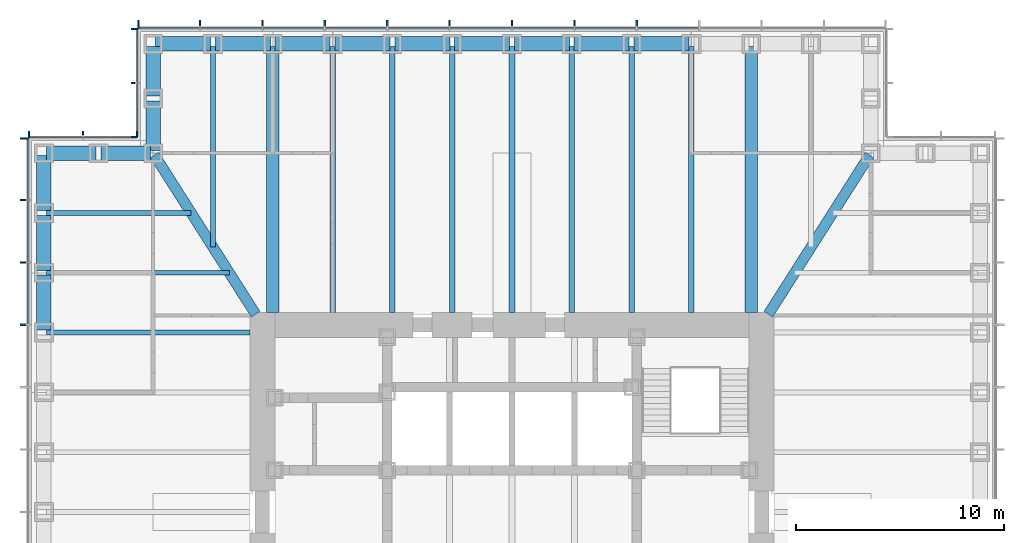
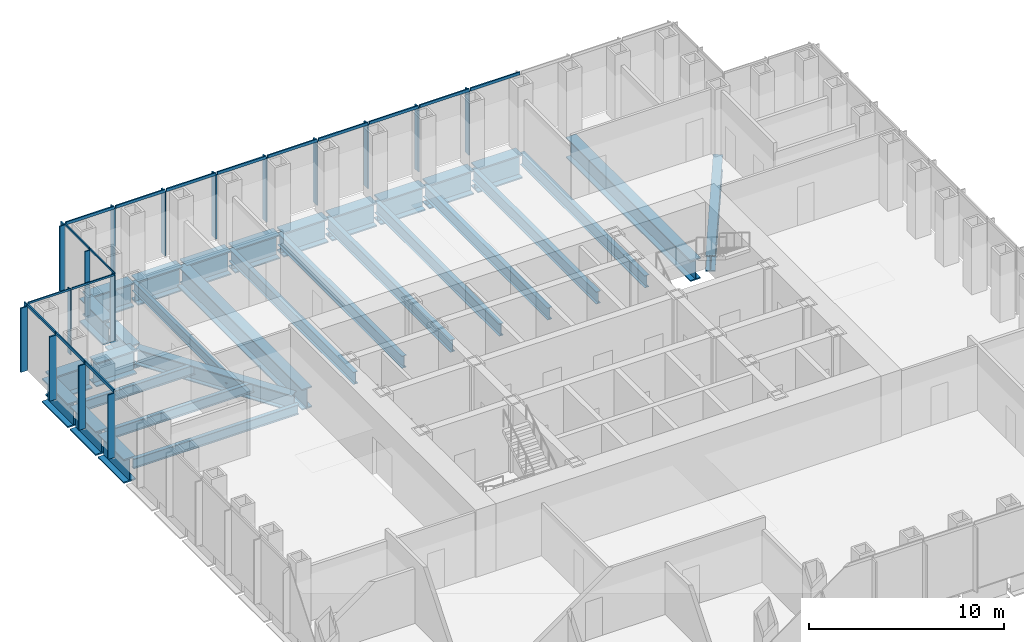
# One storey, part 5 of 16: 35 members, 31 beams, 4 elements without a shape of their own.
"""IFC4 building model written with IfcOpenShell, lengths in metres."""

from ifc_helpers import new_model, si_unit, direction, frame, origin, origin_2d, place, context, subcontext, project, spatial, rectangle, i_section, extrude, material, material_profile, profile_set, type_object, element, aggregate, save


model = new_model("IFC4")

# Units and contexts
model_context = context("Model", 3, precision=1e-05, world=origin(), true_north=direction((0.0, 1.0)))
body_context = subcontext(model_context, "Body", "Model", "MODEL_VIEW")
ifc_project = project(units=[si_unit("LENGTHUNIT", "METRE"), si_unit("AREAUNIT", "SQUARE_METRE"), si_unit("VOLUMEUNIT", "CUBIC_METRE"), si_unit("PLANEANGLEUNIT", "RADIAN"), si_unit("MASSUNIT", "GRAM", prefix="KILO")], contexts=[model_context])

# Site, building, storey
site_placement = place(None, origin())
site = spatial("IfcSite", under=ifc_project, at=site_placement, CompositionType="ELEMENT")
building_placement = place(site_placement, origin())
building = spatial("IfcBuilding", under=site, at=building_placement, Name="Daluyong Arena Tower", CompositionType="ELEMENT")
storey_placement = place(building_placement, frame((0.0, 0.0, 162.699951171875)))
storey = spatial("IfcBuildingStorey", under=building, at=storey_placement, Name="L36", CompositionType="ELEMENT", Elevation=162.699951171875)

# Curtain wall, members
ifc_material_1 = material(Name="Bronze anodised aluminium and glass", Category="aluminium")
curtain_wall_type_1 = type_object("IfcCurtainWallType", Name="Curtain wall CW2", PredefinedType="USERDEFINED", material=ifc_material_1)
curtain_wall_1_placement = place(storey_placement, origin())
curtain_wall_1 = element("IfcCurtainWall", 1, at=curtain_wall_1_placement, inside=storey, type_object=curtain_wall_type_1, Name="curtain wall L36 N", ObjectType="UNITISED CURTAIN WALL", PredefinedType="USERDEFINED")
ifc_material_2 = material(Name="Bronze anodised aluminium fin", Category="aluminium")
ifc_material_profile_1 = material_profile(ifc_material_2, rectangle(XDim=0.39990234375, YDim=0.080078125, at=origin_2d()))
ifc_profile_set_1 = profile_set([ifc_material_profile_1], Name="Bronze anodised aluminium fin")
member_type_1 = type_object("IfcMemberType", Name="CW2 bronze fin 400x80", PredefinedType="MULLION", material=ifc_profile_set_1)
member_1_placement = place(storey_placement, frame((62.0, 103.449951171875, 0.0), z_axis=(0.0, 0.0, 1.0), x_axis=(0.0, -1.0, 0.0)))
member_1 = element("IfcMember", 2, at=member_1_placement, type_object=member_type_1, Name="curtain wall L36 N fin 5", PredefinedType="MULLION", context=body_context, shape_type="SweptSolid", body=[
    extrude(rectangle(XDim=0.39990234375, YDim=0.080078125, at=origin_2d()), origin(), (0.0, 0.0, 1.0), 4.02001953125),
])
member_2_placement = place(storey_placement, frame((59.0, 103.449951171875, 0.0), z_axis=(0.0, 0.0, 1.0), x_axis=(0.0, -1.0, 0.0)))
member_2 = element("IfcMember", 3, at=member_2_placement, type_object=member_type_1, Name="curtain wall L36 N fin 6", PredefinedType="MULLION", context=body_context, shape_type="SweptSolid", body=[
    extrude(rectangle(XDim=0.39990234375, YDim=0.080078125, at=origin_2d()), origin(), (0.0, 0.0, 1.0), 4.02001953125),
])
member_3_placement = place(storey_placement, frame((56.0, 103.449951171875, 0.0), z_axis=(0.0, 0.0, 1.0), x_axis=(0.0, -1.0, 0.0)))
member_3 = element("IfcMember", 4, at=member_3_placement, type_object=member_type_1, Name="curtain wall L36 N fin 7", PredefinedType="MULLION", context=body_context, shape_type="SweptSolid", body=[
    extrude(rectangle(XDim=0.39990234375, YDim=0.080078125, at=origin_2d()), origin(), (0.0, 0.0, 1.0), 4.02001953125),
])
member_4_placement = place(storey_placement, frame((53.0, 103.449951171875, 0.0), z_axis=(0.0, 0.0, 1.0), x_axis=(0.0, -1.0, 0.0)))
member_4 = element("IfcMember", 5, at=member_4_placement, type_object=member_type_1, Name="curtain wall L36 N fin 8", PredefinedType="MULLION", context=body_context, shape_type="SweptSolid", body=[
    extrude(rectangle(XDim=0.39990234375, YDim=0.080078125, at=origin_2d()), origin(), (0.0, 0.0, 1.0), 4.02001953125),
])
member_5_placement = place(storey_placement, frame((50.0, 103.449951171875, 0.0), z_axis=(0.0, 0.0, 1.0), x_axis=(0.0, -1.0, 0.0)))
member_5 = element("IfcMember", 6, at=member_5_placement, type_object=member_type_1, Name="curtain wall L36 N fin 9", PredefinedType="MULLION", context=body_context, shape_type="SweptSolid", body=[
    extrude(rectangle(XDim=0.39990234375, YDim=0.080078125, at=origin_2d()), origin(), (0.0, 0.0, 1.0), 4.02001953125),
])
member_6_placement = place(storey_placement, frame((47.0, 103.449951171875, 0.0), z_axis=(0.0, 0.0, 1.0), x_axis=(0.0, -1.0, 0.0)))
member_6 = element("IfcMember", 7, at=member_6_placement, type_object=member_type_1, Name="curtain wall L36 N fin 10", PredefinedType="MULLION", context=body_context, shape_type="SweptSolid", body=[
    extrude(rectangle(XDim=0.39990234375, YDim=0.080078125, at=origin_2d()), origin(), (0.0, 0.0, 1.0), 4.02001953125),
])
member_7_placement = place(storey_placement, frame((44.0, 103.449951171875, 0.0), z_axis=(0.0, 0.0, 1.0), x_axis=(0.0, -1.0, 0.0)))
member_7 = element("IfcMember", 8, at=member_7_placement, type_object=member_type_1, Name="curtain wall L36 N fin 11", PredefinedType="MULLION", context=body_context, shape_type="SweptSolid", body=[
    extrude(rectangle(XDim=0.39990234375, YDim=0.080078125, at=origin_2d()), origin(), (0.0, 0.0, 1.0), 4.02001953125),
])
member_8_placement = place(storey_placement, frame((41.0, 103.449951171875, 0.0), z_axis=(0.0, 0.0, 1.0), x_axis=(0.0, -1.0, 0.0)))
member_8 = element("IfcMember", 9, at=member_8_placement, type_object=member_type_1, Name="curtain wall L36 N fin 12", PredefinedType="MULLION", context=body_context, shape_type="SweptSolid", body=[
    extrude(rectangle(XDim=0.39990234375, YDim=0.080078125, at=origin_2d()), origin(), (0.0, 0.0, 1.0), 4.02001953125),
])
member_9_placement = place(storey_placement, frame((38.0400390625, 103.449951171875, 0.0), z_axis=(0.0, 0.0, 1.0), x_axis=(0.0, -1.0, 0.0)))
member_9 = element("IfcMember", 10, at=member_9_placement, type_object=member_type_1, Name="curtain wall L36 N fin 13", PredefinedType="MULLION", context=body_context, shape_type="SweptSolid", body=[
    extrude(rectangle(XDim=0.39990234375, YDim=0.080078125, at=origin_2d()), origin(), (0.0, 0.0, 1.0), 4.02001953125),
])

curtain_wall_2_placement = place(storey_placement, origin())
curtain_wall_2 = element("IfcCurtainWall", 11, at=curtain_wall_2_placement, inside=storey, type_object=curtain_wall_type_1, Name="curtain wall L36 W", ObjectType="UNITISED CURTAIN WALL", PredefinedType="USERDEFINED")
member_10_placement = place(storey_placement, frame((32.550048828125, 97.9599609375, 0.0), z_axis=(0.0, 0.0, 1.0), x_axis=(1.0, 0.0, 0.0)))
member_10 = element("IfcMember", 12, at=member_10_placement, type_object=member_type_1, Name="curtain wall L36 W fin 1", PredefinedType="MULLION", context=body_context, shape_type="SweptSolid", body=[
    extrude(rectangle(XDim=0.39990234375, YDim=0.080078125, at=origin_2d()), origin(), (0.0, 0.0, 1.0), 4.02001953125),
])
member_11_placement = place(storey_placement, frame((32.550048828125, 95.0, 0.0), z_axis=(0.0, 0.0, 1.0), x_axis=(1.0, 0.0, 0.0)))
member_11 = element("IfcMember", 13, at=member_11_placement, type_object=member_type_1, Name="curtain wall L36 W fin 2", PredefinedType="MULLION", context=body_context, shape_type="SweptSolid", body=[
    extrude(rectangle(XDim=0.39990234375, YDim=0.080078125, at=origin_2d()), origin(), (0.0, 0.0, 1.0), 4.02001953125),
])
member_12_placement = place(storey_placement, frame((32.550048828125, 92.0, 0.0), z_axis=(0.0, 0.0, 1.0), x_axis=(1.0, 0.0, 0.0)))
member_12 = element("IfcMember", 14, at=member_12_placement, type_object=member_type_1, Name="curtain wall L36 W fin 3", PredefinedType="MULLION", context=body_context, shape_type="SweptSolid", body=[
    extrude(rectangle(XDim=0.39990234375, YDim=0.080078125, at=origin_2d()), origin(), (0.0, 0.0, 1.0), 4.02001953125),
])
member_13_placement = place(storey_placement, frame((32.550048828125, 89.0, 0.0), z_axis=(0.0, 0.0, 1.0), x_axis=(1.0, 0.0, 0.0)))
member_13 = element("IfcMember", 15, at=member_13_placement, type_object=member_type_1, Name="curtain wall L36 W fin 4", PredefinedType="MULLION", context=body_context, shape_type="SweptSolid", body=[
    extrude(rectangle(XDim=0.39990234375, YDim=0.080078125, at=origin_2d()), origin(), (0.0, 0.0, 1.0), 4.02001953125),
])

# Member
ifc_material_3 = material(Name="Bronze anodised aluminium", Category="aluminium")
ifc_material_profile_2 = material_profile(ifc_material_3, rectangle(XDim=0.080078125, YDim=0.179931640625, at=origin_2d()))
ifc_profile_set_2 = profile_set([ifc_material_profile_2], Name="Bronze anodised aluminium")
member_type_2 = type_object("IfcMemberType", Name="CW2 stack transom 180x80", PredefinedType="USERDEFINED", material=ifc_profile_set_2)
member_14_placement = place(storey_placement, frame((64.9599609375, 103.25, 4.110107421875), z_axis=(-1.0, 0.0, 0.0), x_axis=(0.0, -1.0, 0.0)))
member_14 = element("IfcMember", 16, at=member_14_placement, type_object=member_type_2, Name="curtain wall L36 N transom 4", ObjectType="TRANSOM", PredefinedType="USERDEFINED", context=body_context, shape_type="SweptSolid", body=[
    extrude(rectangle(XDim=0.080078125, YDim=0.179931640625, at=origin_2d()), origin(), (0.0, 0.0, 1.0), 2.919921875),
])

member_15_placement = place(storey_placement, frame((61.9599609375, 103.25, 4.110107421875), z_axis=(-1.0, 0.0, 0.0), x_axis=(0.0, -1.0, 0.0)))
member_15 = element("IfcMember", 17, at=member_15_placement, type_object=member_type_2, Name="curtain wall L36 N transom 5", ObjectType="TRANSOM", PredefinedType="USERDEFINED", context=body_context, shape_type="SweptSolid", body=[
    extrude(rectangle(XDim=0.080078125, YDim=0.179931640625, at=origin_2d()), origin(), (0.0, 0.0, 1.0), 2.919921875),
])

member_16_placement = place(storey_placement, frame((58.9599609375, 103.25, 4.110107421875), z_axis=(-1.0, 0.0, 0.0), x_axis=(0.0, -1.0, 0.0)))
member_16 = element("IfcMember", 18, at=member_16_placement, type_object=member_type_2, Name="curtain wall L36 N transom 6", ObjectType="TRANSOM", PredefinedType="USERDEFINED", context=body_context, shape_type="SweptSolid", body=[
    extrude(rectangle(XDim=0.080078125, YDim=0.179931640625, at=origin_2d()), origin(), (0.0, 0.0, 1.0), 2.919921875),
])

member_17_placement = place(storey_placement, frame((55.9599609375, 103.25, 4.110107421875), z_axis=(-1.0, 0.0, 0.0), x_axis=(0.0, -1.0, 0.0)))
member_17 = element("IfcMember", 19, at=member_17_placement, type_object=member_type_2, Name="curtain wall L36 N transom 7", ObjectType="TRANSOM", PredefinedType="USERDEFINED", context=body_context, shape_type="SweptSolid", body=[
    extrude(rectangle(XDim=0.080078125, YDim=0.179931640625, at=origin_2d()), origin(), (0.0, 0.0, 1.0), 2.919921875),
])

member_18_placement = place(storey_placement, frame((52.9599609375, 103.25, 4.110107421875), z_axis=(-1.0, 0.0, 0.0), x_axis=(0.0, -1.0, 0.0)))
member_18 = element("IfcMember", 20, at=member_18_placement, type_object=member_type_2, Name="curtain wall L36 N transom 8", ObjectType="TRANSOM", PredefinedType="USERDEFINED", context=body_context, shape_type="SweptSolid", body=[
    extrude(rectangle(XDim=0.080078125, YDim=0.179931640625, at=origin_2d()), origin(), (0.0, 0.0, 1.0), 2.919921875),
])

member_19_placement = place(storey_placement, frame((49.9599609375, 103.25, 4.110107421875), z_axis=(-1.0, 0.0, 0.0), x_axis=(0.0, -1.0, 0.0)))
member_19 = element("IfcMember", 21, at=member_19_placement, type_object=member_type_2, Name="curtain wall L36 N transom 9", ObjectType="TRANSOM", PredefinedType="USERDEFINED", context=body_context, shape_type="SweptSolid", body=[
    extrude(rectangle(XDim=0.080078125, YDim=0.179931640625, at=origin_2d()), origin(), (0.0, 0.0, 1.0), 2.919921875),
])

member_20_placement = place(storey_placement, frame((46.9599609375, 103.25, 4.110107421875), z_axis=(-1.0, 0.0, 0.0), x_axis=(0.0, -1.0, 0.0)))
member_20 = element("IfcMember", 22, at=member_20_placement, type_object=member_type_2, Name="curtain wall L36 N transom 10", ObjectType="TRANSOM", PredefinedType="USERDEFINED", context=body_context, shape_type="SweptSolid", body=[
    extrude(rectangle(XDim=0.080078125, YDim=0.179931640625, at=origin_2d()), origin(), (0.0, 0.0, 1.0), 2.919921875),
])

member_21_placement = place(storey_placement, frame((43.9599609375, 103.25, 4.110107421875), z_axis=(-1.0, 0.0, 0.0), x_axis=(0.0, -1.0, 0.0)))
member_21 = element("IfcMember", 23, at=member_21_placement, type_object=member_type_2, Name="curtain wall L36 N transom 11", ObjectType="TRANSOM", PredefinedType="USERDEFINED", context=body_context, shape_type="SweptSolid", body=[
    extrude(rectangle(XDim=0.080078125, YDim=0.179931640625, at=origin_2d()), origin(), (0.0, 0.0, 1.0), 2.919921875),
])

member_22_placement = place(storey_placement, frame((40.9599609375, 103.25, 4.110107421875), z_axis=(-1.0, 0.0, 0.0), x_axis=(0.0, -1.0, 0.0)))
member_22 = element("IfcMember", 24, at=member_22_placement, type_object=member_type_2, Name="curtain wall L36 N transom 12", ObjectType="TRANSOM", PredefinedType="USERDEFINED", context=body_context, shape_type="SweptSolid", body=[
    extrude(rectangle(XDim=0.080078125, YDim=0.179931640625, at=origin_2d()), origin(), (0.0, 0.0, 1.0), 2.8798828125),
])

aggregate(curtain_wall_1, [member_1, member_2, member_3, member_4, member_5, member_6, member_7, member_8, member_9, member_14, member_15, member_16, member_17, member_18, member_19, member_20, member_21, member_22])

member_23_placement = place(storey_placement, frame((32.75, 97.919921875, 4.110107421875), z_axis=(0.0, -1.0, 0.0), x_axis=(1.0, 0.0, 0.0)))
member_23 = element("IfcMember", 25, at=member_23_placement, type_object=member_type_2, Name="curtain wall L36 W transom 1", ObjectType="TRANSOM", PredefinedType="USERDEFINED", context=body_context, shape_type="SweptSolid", body=[
    extrude(rectangle(XDim=0.080078125, YDim=0.179931640625, at=origin_2d()), origin(), (0.0, 0.0, 1.0), 2.8798828125),
])

member_24_placement = place(storey_placement, frame((32.75, 94.9599609375, 4.110107421875), z_axis=(0.0, -1.0, 0.0), x_axis=(1.0, 0.0, 0.0)))
member_24 = element("IfcMember", 26, at=member_24_placement, type_object=member_type_2, Name="curtain wall L36 W transom 2", ObjectType="TRANSOM", PredefinedType="USERDEFINED", context=body_context, shape_type="SweptSolid", body=[
    extrude(rectangle(XDim=0.080078125, YDim=0.179931640625, at=origin_2d()), origin(), (0.0, 0.0, 1.0), 2.919921875),
])

member_25_placement = place(storey_placement, frame((32.75, 91.9599609375, 4.110107421875), z_axis=(0.0, -1.0, 0.0), x_axis=(1.0, 0.0, 0.0)))
member_25 = element("IfcMember", 27, at=member_25_placement, type_object=member_type_2, Name="curtain wall L36 W transom 3", ObjectType="TRANSOM", PredefinedType="USERDEFINED", context=body_context, shape_type="SweptSolid", body=[
    extrude(rectangle(XDim=0.080078125, YDim=0.179931640625, at=origin_2d()), origin(), (0.0, 0.0, 1.0), 2.919921875),
])

aggregate(curtain_wall_2, [member_10, member_11, member_12, member_13, member_23, member_24, member_25])

# Curtain wall, members
ifc_material_4 = material(Name="Bronze anodised aluminium and glass", Category="aluminium")
curtain_wall_type_2 = type_object("IfcCurtainWallType", Name="Curtain wall CW7", PredefinedType="USERDEFINED", material=ifc_material_4)
curtain_wall_3_placement = place(storey_placement, origin())
curtain_wall_3 = element("IfcCurtainWall", 28, at=curtain_wall_3_placement, inside=storey, type_object=curtain_wall_type_2, Name="curtain wall L36 NW-W", ObjectType="UNITISED CURTAIN WALL", PredefinedType="USERDEFINED")
ifc_material_5 = material(Name="Bronze anodised aluminium fin", Category="aluminium")
ifc_material_profile_3 = material_profile(ifc_material_5, rectangle(XDim=0.300048828125, YDim=0.06005859375, at=origin_2d()))
ifc_profile_set_3 = profile_set([ifc_material_profile_3], Name="Bronze anodised aluminium fin")
member_type_3 = type_object("IfcMemberType", Name="CW7 bronze fin 300x60", PredefinedType="MULLION", material=ifc_profile_set_3)
member_26_placement = place(storey_placement, frame((37.85009765625, 103.219970703125, 0.0), z_axis=(0.0, 0.0, 1.0), x_axis=(1.0, 0.0, 0.0)))
member_26 = element("IfcMember", 29, at=member_26_placement, type_object=member_type_3, Name="curtain wall L36 NW-W fin 1", PredefinedType="MULLION", context=body_context, shape_type="SweptSolid", body=[
    extrude(rectangle(XDim=0.300048828125, YDim=0.06005859375, at=origin_2d()), origin(), (0.0, 0.0, 1.0), 4.080078125),
])
member_27_placement = place(storey_placement, frame((37.85009765625, 100.625, 0.0), z_axis=(0.0, 0.0, 1.0), x_axis=(1.0, 0.0, 0.0)))
member_27 = element("IfcMember", 30, at=member_27_placement, type_object=member_type_3, Name="curtain wall L36 NW-W fin 2", PredefinedType="MULLION", context=body_context, shape_type="SweptSolid", body=[
    extrude(rectangle(XDim=0.300048828125, YDim=0.06005859375, at=origin_2d()), origin(), (0.0, 0.0, 1.0), 4.080078125),
])
member_28_placement = place(storey_placement, frame((37.85009765625, 98.030029296875, 0.0), z_axis=(0.0, 0.0, 1.0), x_axis=(1.0, 0.0, 0.0)))
member_28 = element("IfcMember", 31, at=member_28_placement, type_object=member_type_3, Name="curtain wall L36 NW-W fin 3", PredefinedType="MULLION", context=body_context, shape_type="SweptSolid", body=[
    extrude(rectangle(XDim=0.300048828125, YDim=0.06005859375, at=origin_2d()), origin(), (0.0, 0.0, 1.0), 4.080078125),
])

curtain_wall_4_placement = place(storey_placement, origin())
curtain_wall_4 = element("IfcCurtainWall", 32, at=curtain_wall_4_placement, inside=storey, type_object=curtain_wall_type_2, Name="curtain wall L36 NW-N", ObjectType="UNITISED CURTAIN WALL", PredefinedType="USERDEFINED")
member_29_placement = place(storey_placement, frame((37.969970703125, 98.14990234375, 0.0), z_axis=(0.0, 0.0, 1.0), x_axis=(0.0, -1.0, 0.0)))
member_29 = element("IfcMember", 33, at=member_29_placement, type_object=member_type_3, Name="curtain wall L36 NW-N fin 1", PredefinedType="MULLION", context=body_context, shape_type="SweptSolid", body=[
    extrude(rectangle(XDim=0.300048828125, YDim=0.06005859375, at=origin_2d()), origin(), (0.0, 0.0, 1.0), 4.080078125),
])
member_30_placement = place(storey_placement, frame((35.375, 98.14990234375, 0.0), z_axis=(0.0, 0.0, 1.0), x_axis=(0.0, -1.0, 0.0)))
member_30 = element("IfcMember", 34, at=member_30_placement, type_object=member_type_3, Name="curtain wall L36 NW-N fin 2", PredefinedType="MULLION", context=body_context, shape_type="SweptSolid", body=[
    extrude(rectangle(XDim=0.300048828125, YDim=0.06005859375, at=origin_2d()), origin(), (0.0, 0.0, 1.0), 4.080078125),
])
member_31_placement = place(storey_placement, frame((32.780029296875, 98.14990234375, 0.0), z_axis=(0.0, 0.0, 1.0), x_axis=(0.0, -1.0, 0.0)))
member_31 = element("IfcMember", 35, at=member_31_placement, type_object=member_type_3, Name="curtain wall L36 NW-N fin 3", PredefinedType="MULLION", context=body_context, shape_type="SweptSolid", body=[
    extrude(rectangle(XDim=0.300048828125, YDim=0.06005859375, at=origin_2d()), origin(), (0.0, 0.0, 1.0), 4.080078125),
])

# Member
ifc_material_6 = material(Name="Bronze anodised aluminium", Category="aluminium")
ifc_material_profile_4 = material_profile(ifc_material_6, rectangle(XDim=0.06005859375, YDim=0.1201171875, at=origin_2d()))
ifc_profile_set_4 = profile_set([ifc_material_profile_4], Name="Bronze anodised aluminium")
member_type_4 = type_object("IfcMemberType", Name="CW7 stack transom 120x60", PredefinedType="USERDEFINED", material=ifc_profile_set_4)
member_32_placement = place(storey_placement, frame((38.0, 103.18994140625, 4.14013671875), z_axis=(0.0, -1.0, 0.0), x_axis=(1.0, 0.0, 0.0)))
member_32 = element("IfcMember", 36, at=member_32_placement, type_object=member_type_4, Name="curtain wall L36 NW-W transom 1", ObjectType="TRANSOM", PredefinedType="USERDEFINED", context=body_context, shape_type="SweptSolid", body=[
    extrude(rectangle(XDim=0.06005859375, YDim=0.1201171875, at=origin_2d()), origin(), (0.0, 0.0, 1.0), 2.534912109375),
])

member_33_placement = place(storey_placement, frame((38.0, 100.594970703125, 4.14013671875), z_axis=(0.0, -1.0, 0.0), x_axis=(1.0, 0.0, 0.0)))
member_33 = element("IfcMember", 37, at=member_33_placement, type_object=member_type_4, Name="curtain wall L36 NW-W transom 2", ObjectType="TRANSOM", PredefinedType="USERDEFINED", context=body_context, shape_type="SweptSolid", body=[
    extrude(rectangle(XDim=0.06005859375, YDim=0.1201171875, at=origin_2d()), origin(), (0.0, 0.0, 1.0), 2.534912109375),
])

aggregate(curtain_wall_3, [member_26, member_27, member_28, member_32, member_33])

member_34_placement = place(storey_placement, frame((37.93994140625, 98.0, 4.14013671875), z_axis=(-1.0, 0.0, 0.0), x_axis=(0.0, -1.0, 0.0)))
member_34 = element("IfcMember", 38, at=member_34_placement, type_object=member_type_4, Name="curtain wall L36 NW-N transom 1", ObjectType="TRANSOM", PredefinedType="USERDEFINED", context=body_context, shape_type="SweptSolid", body=[
    extrude(rectangle(XDim=0.06005859375, YDim=0.1201171875, at=origin_2d()), origin(), (0.0, 0.0, 1.0), 2.534912109375),
])

member_35_placement = place(storey_placement, frame((35.344970703125, 98.0, 4.14013671875), z_axis=(-1.0, 0.0, 0.0), x_axis=(0.0, -1.0, 0.0)))
member_35 = element("IfcMember", 39, at=member_35_placement, type_object=member_type_4, Name="curtain wall L36 NW-N transom 2", ObjectType="TRANSOM", PredefinedType="USERDEFINED", context=body_context, shape_type="SweptSolid", body=[
    extrude(rectangle(XDim=0.06005859375, YDim=0.1201171875, at=origin_2d()), origin(), (0.0, 0.0, 1.0), 2.534912109375),
])

aggregate(curtain_wall_4, [member_29, member_30, member_31, member_34, member_35])

# Beams
ifc_material_7 = material(Name="Steel ASTM A572 Grade 50", Category="steel")
ifc_material_profile_5 = material_profile(ifc_material_7, i_section(OverallWidth=0.5, OverallDepth=1.0, WebThickness=0.03, FlangeThickness=0.06, at=origin_2d()))
ifc_profile_set_5 = profile_set([ifc_material_profile_5], Name="Steel ASTM A572 Grade 50")
beam_type_1 = type_object("IfcBeamType", Name="Corner girder TB1000X500", PredefinedType="BEAM", material=ifc_profile_set_5)
for number, where, z_axis, x_axis, name in (
    (40, (73.188232421875, 97.153076171875, -0.659912109375), (-0.536872006459, -0.843663705916, 0.0), (0.843663705916, -0.536872006459, 0.0), "corner girder DG2"),
    (41, (38.811767578125, 97.153076171875, -0.659912109375), (0.536872006459, -0.843663705916, 0.0), (0.843663705916, 0.536872006459, 0.0), "corner girder DG2"),
):
    element("IfcBeam", number, at=place(storey_placement, frame(where, z_axis=z_axis, x_axis=x_axis)), inside=storey, type_object=beam_type_1, Name=name, PredefinedType="BEAM", context=body_context, shape_type="SweptSolid", body=[
        extrude(i_section(OverallWidth=0.5, OverallDepth=1.0, WebThickness=0.03, FlangeThickness=0.06, at=origin_2d()), origin(), (0.0, 0.0, 1.0), 9.06396484375),
    ])
ifc_material_8 = material(Name="Steel ASTM A572 Grade 50", Category="steel")
ifc_material_profile_6 = material_profile(ifc_material_8, i_section(OverallWidth=0.60009765625, OverallDepth=1.300048828125, WebThickness=0.035, FlangeThickness=0.07, at=origin_2d()))
ifc_profile_set_6 = profile_set([ifc_material_profile_6], Name="Steel ASTM A572 Grade 50")
beam_type_2 = type_object("IfcBeamType", Name="Floor beam TB1300X600", PredefinedType="BEAM", material=ifc_profile_set_6)
for number, where, z_axis, x_axis, name in (
    (42, (67.5, 102.385009765625, -0.81005859375), (0.0, -1.0, 0.0), (1.0, 0.0, 0.0), "floor beam FB7"),
    (43, (44.5, 102.385009765625, -0.81005859375), (0.0, -1.0, 0.0), (1.0, 0.0, 0.0), "floor beam FB7"),
):
    element("IfcBeam", number, at=place(storey_placement, frame(where, z_axis=z_axis, x_axis=x_axis)), inside=storey, type_object=beam_type_2, Name=name, PredefinedType="BEAM", context=body_context, shape_type="SweptSolid", body=[
        extrude(i_section(OverallWidth=0.60009765625, OverallDepth=1.300048828125, WebThickness=0.035, FlangeThickness=0.07, at=origin_2d()), origin(), (0.0, 0.0, 1.0), 12.784912109375),
    ])
ifc_material_9 = material(Name="Steel ASTM A992 Grade 50", Category="steel")
ifc_material_profile_7 = material_profile(ifc_material_9, i_section(OverallWidth=0.22900390625, OverallDepth=0.612060546875, WebThickness=0.011962890625, FlangeThickness=0.01953125, at=origin_2d()))
ifc_profile_set_7 = profile_set([ifc_material_profile_7], Name="Steel ASTM A992 Grade 50")
beam_type_3 = type_object("IfcBeamType", Name="Floor beam W24X84", PredefinedType="BEAM", material=ifc_profile_set_7)
beam_1_placement = place(storey_placement, frame((41.625, 102.385009765625, -0.466064453125), z_axis=(0.0, -1.0, 0.0), x_axis=(1.0, 0.0, 0.0)))
element("IfcBeam", 44, at=beam_1_placement, inside=storey, type_object=beam_type_3, Name="floor beam FB3", PredefinedType="BEAM", context=body_context, shape_type="SweptSolid", body=[
    extrude(i_section(OverallWidth=0.22900390625, OverallDepth=0.612060546875, WebThickness=0.011962890625, FlangeThickness=0.01953125, at=origin_2d()), origin(), (0.0, 0.0, 1.0), 9.65283203125),
])
beam_2_placement = place(storey_placement, frame((33.614990234375, 94.375, -0.466064453125), z_axis=(1.0, 0.0, 0.0), x_axis=(0.0, 1.0, 0.0)))
element("IfcBeam", 45, at=beam_2_placement, inside=storey, type_object=beam_type_3, Name="floor beam FB3", PredefinedType="BEAM", context=body_context, shape_type="SweptSolid", body=[
    extrude(i_section(OverallWidth=0.22900390625, OverallDepth=0.612060546875, WebThickness=0.011962890625, FlangeThickness=0.01953125, at=origin_2d()), origin(), (0.0, 0.0, 1.0), 6.964599609375),
])
beam_3_placement = place(storey_placement, frame((33.614990234375, 91.5, -0.466064453125), z_axis=(1.0, 0.0, 0.0), x_axis=(0.0, 1.0, 0.0)))
element("IfcBeam", 46, at=beam_3_placement, inside=storey, type_object=beam_type_3, Name="floor beam FB3", PredefinedType="BEAM", context=body_context, shape_type="SweptSolid", body=[
    extrude(i_section(OverallWidth=0.22900390625, OverallDepth=0.612060546875, WebThickness=0.011962890625, FlangeThickness=0.01953125, at=origin_2d()), origin(), (0.0, 0.0, 1.0), 8.794189453125),
])
beam_4_placement = place(storey_placement, frame((33.614990234375, 88.625, -0.466064453125), z_axis=(1.0, 0.0, 0.0), x_axis=(0.0, 1.0, 0.0)))
element("IfcBeam", 47, at=beam_4_placement, inside=storey, type_object=beam_type_3, Name="floor beam FB3", PredefinedType="BEAM", context=body_context, shape_type="SweptSolid", body=[
    extrude(i_section(OverallWidth=0.22900390625, OverallDepth=0.612060546875, WebThickness=0.011962890625, FlangeThickness=0.01953125, at=origin_2d()), origin(), (0.0, 0.0, 1.0), 9.784912109375),
])
ifc_material_10 = material(Name="Steel ASTM A992 Grade 50", Category="steel")
ifc_material_profile_8 = material_profile(ifc_material_10, i_section(OverallWidth=0.2666015625, OverallDepth=0.761962890625, WebThickness=0.014404296875, FlangeThickness=0.021484375, at=origin_2d()))
ifc_profile_set_8 = profile_set([ifc_material_profile_8], Name="Steel ASTM A992 Grade 50")
beam_type_4 = type_object("IfcBeamType", Name="Floor beam W30X116", PredefinedType="BEAM", material=ifc_profile_set_8)
for number, where, z_axis, x_axis, name in (
    (48, (64.625, 102.385009765625, -0.541015625), (0.0, -1.0, 0.0), (1.0, 0.0, 0.0), "floor beam FB4"),
    (49, (61.75, 102.385009765625, -0.541015625), (0.0, -1.0, 0.0), (1.0, 0.0, 0.0), "floor beam FB4"),
    (50, (58.875, 102.385009765625, -0.541015625), (0.0, -1.0, 0.0), (1.0, 0.0, 0.0), "floor beam FB4"),
    (51, (56.0, 102.385009765625, -0.541015625), (0.0, -1.0, 0.0), (1.0, 0.0, 0.0), "floor beam FB4"),
    (52, (53.125, 102.385009765625, -0.541015625), (0.0, -1.0, 0.0), (1.0, 0.0, 0.0), "floor beam FB4"),
    (53, (50.25, 102.385009765625, -0.541015625), (0.0, -1.0, 0.0), (1.0, 0.0, 0.0), "floor beam FB4"),
    (54, (47.375, 102.385009765625, -0.541015625), (0.0, -1.0, 0.0), (1.0, 0.0, 0.0), "floor beam FB4"),
):
    element("IfcBeam", number, at=place(storey_placement, frame(where, z_axis=z_axis, x_axis=x_axis)), inside=storey, type_object=beam_type_4, Name=name, PredefinedType="BEAM", context=body_context, shape_type="SweptSolid", body=[
        extrude(i_section(OverallWidth=0.2666015625, OverallDepth=0.761962890625, WebThickness=0.014404296875, FlangeThickness=0.021484375, at=origin_2d()), origin(), (0.0, 0.0, 1.0), 12.784912109375),
    ])
ifc_material_11 = material(Name="Steel ASTM A572 Grade 50", Category="steel")
ifc_material_profile_9 = material_profile(ifc_material_11, i_section(OverallWidth=0.699951171875, OverallDepth=1.5, WebThickness=0.04, FlangeThickness=0.08, at=origin_2d()))
ifc_profile_set_9 = profile_set([ifc_material_profile_9], Name="Steel ASTM A572 Grade 50")
beam_type_5 = type_object("IfcBeamType", Name="Spandrel Z2 PG1500X700", PredefinedType="SPANDREL", material=ifc_profile_set_9)
for number, where, z_axis, x_axis, name in (
    (55, (64.510009765625, 102.5, -0.909912109375), (-1.0, 0.0, 0.0), (0.0, -1.0, 0.0), "spandrel z2 SB6"),
    (56, (61.635009765625, 102.5, -0.909912109375), (-1.0, 0.0, 0.0), (0.0, -1.0, 0.0), "spandrel z2 SB6"),
    (57, (58.760009765625, 102.5, -0.909912109375), (-1.0, 0.0, 0.0), (0.0, -1.0, 0.0), "spandrel z2 SB6"),
    (58, (55.885009765625, 102.5, -0.909912109375), (-1.0, 0.0, 0.0), (0.0, -1.0, 0.0), "spandrel z2 SB6"),
    (59, (53.010009765625, 102.5, -0.909912109375), (-1.0, 0.0, 0.0), (0.0, -1.0, 0.0), "spandrel z2 SB6"),
    (60, (50.135009765625, 102.5, -0.909912109375), (-1.0, 0.0, 0.0), (0.0, -1.0, 0.0), "spandrel z2 SB6"),
    (61, (47.260009765625, 102.5, -0.909912109375), (-1.0, 0.0, 0.0), (0.0, -1.0, 0.0), "spandrel z2 SB6"),
    (62, (44.385009765625, 102.5, -0.909912109375), (-1.0, 0.0, 0.0), (0.0, -1.0, 0.0), "spandrel z2 SB6"),
    (63, (41.510009765625, 102.5, -0.909912109375), (-1.0, 0.0, 0.0), (0.0, -1.0, 0.0), "spandrel z2 SB6"),
):
    element("IfcBeam", number, at=place(storey_placement, frame(where, z_axis=z_axis, x_axis=x_axis)), inside=storey, type_object=beam_type_5, Name=name, PredefinedType="SPANDREL", context=body_context, shape_type="SweptSolid", body=[
        extrude(i_section(OverallWidth=0.699951171875, OverallDepth=1.5, WebThickness=0.04, FlangeThickness=0.08, at=origin_2d()), origin(), (0.0, 0.0, 1.0), 2.64501953125),
    ])
for number, where, z_axis, x_axis, name in (
    (64, (38.75, 102.385009765625, -0.909912109375), (0.0, -1.0, 0.0), (1.0, 0.0, 0.0), "spandrel z2 SB6"),
    (65, (38.75, 99.760009765625, -0.909912109375), (0.0, -1.0, 0.0), (1.0, 0.0, 0.0), "spandrel z2 SB6"),
    (66, (38.635009765625, 97.25, -0.909912109375), (-1.0, 0.0, 0.0), (0.0, -1.0, 0.0), "spandrel z2 SB6"),
    (67, (36.010009765625, 97.25, -0.909912109375), (-1.0, 0.0, 0.0), (0.0, -1.0, 0.0), "spandrel z2 SB6"),
):
    element("IfcBeam", number, at=place(storey_placement, frame(where, z_axis=z_axis, x_axis=x_axis)), inside=storey, type_object=beam_type_5, Name=name, PredefinedType="SPANDREL", context=body_context, shape_type="SweptSolid", body=[
        extrude(i_section(OverallWidth=0.699951171875, OverallDepth=1.5, WebThickness=0.04, FlangeThickness=0.08, at=origin_2d()), origin(), (0.0, 0.0, 1.0), 2.39501953125),
    ])
for number, where, z_axis, x_axis, name in (
    (68, (33.5, 97.135009765625, -0.909912109375), (0.0, -1.0, 0.0), (1.0, 0.0, 0.0), "spandrel z2 SB6"),
    (69, (33.5, 94.260009765625, -0.909912109375), (0.0, -1.0, 0.0), (1.0, 0.0, 0.0), "spandrel z2 SB6"),
    (70, (33.5, 91.385009765625, -0.909912109375), (0.0, -1.0, 0.0), (1.0, 0.0, 0.0), "spandrel z2 SB6"),
):
    element("IfcBeam", number, at=place(storey_placement, frame(where, z_axis=z_axis, x_axis=x_axis)), inside=storey, type_object=beam_type_5, Name=name, PredefinedType="SPANDREL", context=body_context, shape_type="SweptSolid", body=[
        extrude(i_section(OverallWidth=0.699951171875, OverallDepth=1.5, WebThickness=0.04, FlangeThickness=0.08, at=origin_2d()), origin(), (0.0, 0.0, 1.0), 2.64501953125),
    ])

save(model, "model.ifc")
